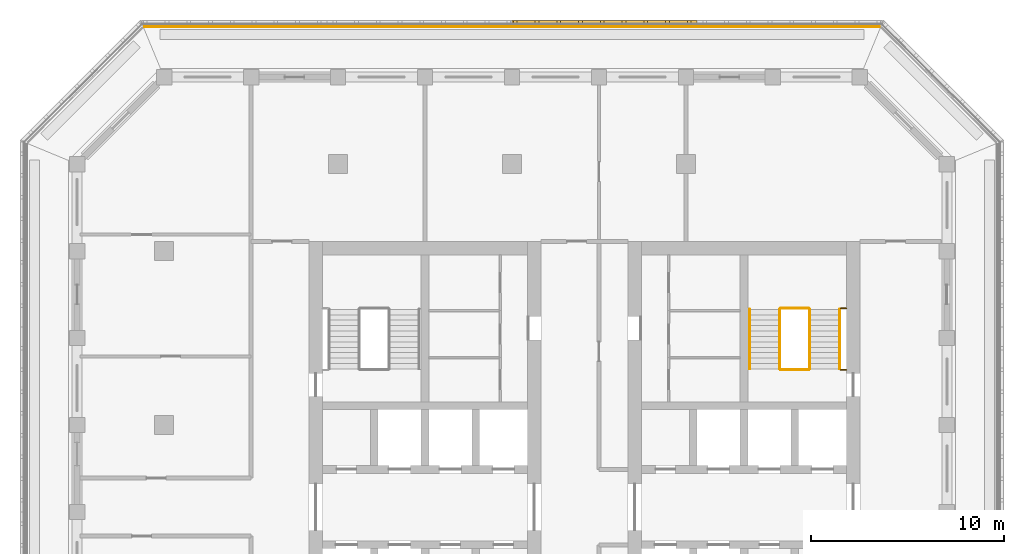
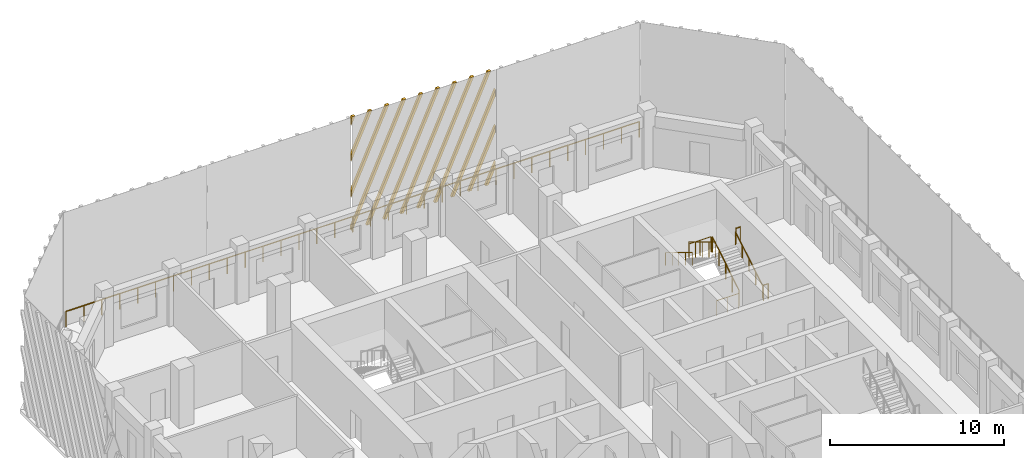
# One storey, part 13 of 15: 9 railings, 1 shading device.
"""IFC4 building model written with IfcOpenShell, lengths in metres."""

from ifc_helpers import new_model, si_unit, direction, frame, origin, origin_2d, place, context, subcontext, project, spatial, polyline, circle, outline, extrude, source, transform, mapped, material, type_object, element, save


model = new_model("IFC4")

# Units and contexts
model_context = context("Model", 3, precision=1e-05, world=origin(), true_north=direction((0.0, 1.0)))
body_context = subcontext(model_context, "Body", "Model", "MODEL_VIEW")
ifc_project = project(units=[si_unit("LENGTHUNIT", "METRE"), si_unit("AREAUNIT", "SQUARE_METRE"), si_unit("VOLUMEUNIT", "CUBIC_METRE"), si_unit("PLANEANGLEUNIT", "RADIAN"), si_unit("MASSUNIT", "GRAM", prefix="KILO")], contexts=[model_context])

# Site, building, storey
site_placement = place(None, origin())
site = spatial("IfcSite", under=ifc_project, at=site_placement, CompositionType="ELEMENT")
building_placement = place(site_placement, origin())
building = spatial("IfcBuilding", under=site, at=building_placement, Name="Corbel Stack Research Tower", CompositionType="ELEMENT")
storey_placement = place(building_placement, frame((0.0, 0.0, 282.699951171875)))
storey = spatial("IfcBuildingStorey", under=building, at=storey_placement, Name="L64", CompositionType="ELEMENT", Elevation=282.699951171875)

# Railings
ifc_material_1 = material(Name="Steel S355", Category="steel")
railing_type_1 = type_object("IfcRailingType", Name="Stair guard 1100", PredefinedType="GUARDRAIL", material=ifc_material_1)
railing_1_placement = place(storey_placement, frame((15.39990234375, 11.89990234375, 0.1708984375)))
element("IfcRailing", 1, at=railing_1_placement, inside=storey, type_object=railing_type_1, Name="L64 ST-E2 stair guard 1", PredefinedType="GUARDRAIL", context=body_context, shape_type="SweptSolid", body=[
    extrude(circle(Radius=0.02392578125, at=origin_2d()), frame((0.0, 0.0, 1.076171875), z_axis=(0.0, 0.853666305674, 0.52082035152), x_axis=(-1.0, 0.0, 0.0)), (0.0, 0.0, 1.0), 3.608154296875),
    extrude(circle(Radius=0.02099609375, at=origin_2d()), origin(), (0.0, 0.0, 1.0), 1.052001953125),
    extrude(circle(Radius=0.02099609375, at=origin_2d()), frame((0.0, 0.77001953125, 0.4697265625)), (0.0, 0.0, 1.0), 1.052001953125),
    extrude(circle(Radius=0.02099609375, at=origin_2d()), frame((0.0, 1.5400390625, 0.939453125)), (0.0, 0.0, 1.0), 1.052001953125),
    extrude(circle(Radius=0.02099609375, at=origin_2d()), frame((0.0, 2.31005859375, 1.409423828125)), (0.0, 0.0, 1.0), 1.052001953125),
    extrude(circle(Radius=0.02099609375, at=origin_2d()), frame((0.0, 3.080078125, 1.879150390625)), (0.0, 0.0, 1.0), 1.052001953125),
])
railing_2_placement = place(storey_placement, frame((15.35009765625, 15.030029296875, 2.050048828125)))
element("IfcRailing", 2, at=railing_2_placement, inside=storey, type_object=railing_type_1, Name="L64 ST-E2 stair guard 2", PredefinedType="GUARDRAIL", context=body_context, shape_type="SweptSolid", body=[
    extrude(circle(Radius=0.02392578125, at=origin_2d()), frame((0.0, 0.0, 1.076171875), z_axis=(-1.0, 0.0, 0.0), x_axis=(0.0, -1.0, 0.0)), (0.0, 0.0, 1.0), 1.4501953125),
    extrude(circle(Radius=0.02099609375, at=origin_2d()), origin(), (0.0, 0.0, 1.0), 1.052001953125),
    extrude(circle(Radius=0.02099609375, at=origin_2d()), frame((-0.72509765625, 0.0, 0.0)), (0.0, 0.0, 1.0), 1.052001953125),
    extrude(circle(Radius=0.02099609375, at=origin_2d()), frame((-1.4501953125, 0.0, 0.0)), (0.0, 0.0, 1.0), 1.052001953125),
])
railing_3_placement = place(storey_placement, frame((17.300048828125, 15.030029296875, 2.050048828125)))
element("IfcRailing", 3, at=railing_3_placement, inside=storey, type_object=railing_type_1, Name="L64 ST-E2 stair guard 3", PredefinedType="GUARDRAIL", context=body_context, shape_type="SweptSolid", body=[
    extrude(circle(Radius=0.02392578125, at=origin_2d()), frame((0.0, 0.0, 1.076171875), z_axis=(-1.0, 0.0, 0.0), x_axis=(0.0, -1.0, 0.0)), (0.0, 0.0, 1.0), 0.300048828125),
    extrude(circle(Radius=0.02099609375, at=origin_2d()), origin(), (0.0, 0.0, 1.0), 1.052001953125),
    extrude(circle(Radius=0.02099609375, at=origin_2d()), frame((-0.300048828125, 0.0, 0.0)), (0.0, 0.0, 1.0), 1.052001953125),
])
railing_4_placement = place(storey_placement, frame((13.85009765625, 14.97998046875, 2.220947265625)))
element("IfcRailing", 4, at=railing_4_placement, inside=storey, type_object=railing_type_1, Name="L64 ST-E2 stair guard 4", PredefinedType="GUARDRAIL", context=body_context, shape_type="SweptSolid", body=[
    extrude(circle(Radius=0.02392578125, at=origin_2d()), frame((0.0, 0.0, 1.076171875), z_axis=(0.0, -0.853666305674, 0.52082035152), x_axis=(1.0, 0.0, 0.0)), (0.0, 0.0, 1.0), 3.608154296875),
    extrude(circle(Radius=0.02099609375, at=origin_2d()), origin(), (0.0, 0.0, 1.0), 1.052001953125),
    extrude(circle(Radius=0.02099609375, at=origin_2d()), frame((0.0, -0.77001953125, 0.4697265625)), (0.0, 0.0, 1.0), 1.052001953125),
    extrude(circle(Radius=0.02099609375, at=origin_2d()), frame((0.0, -1.5400390625, 0.939453125)), (0.0, 0.0, 1.0), 1.052001953125),
    extrude(circle(Radius=0.02099609375, at=origin_2d()), frame((0.0, -2.31005859375, 1.409423828125)), (0.0, 0.0, 1.0), 1.052001953125),
    extrude(circle(Radius=0.02099609375, at=origin_2d()), frame((0.0, -3.080078125, 1.879150390625)), (0.0, 0.0, 1.0), 1.052001953125),
])
railing_5_placement = place(storey_placement, frame((15.35009765625, 11.85009765625, 0.0)))
element("IfcRailing", 5, at=railing_5_placement, inside=storey, type_object=railing_type_1, Name="L64 ST-E2 stair guard 5", PredefinedType="GUARDRAIL", context=body_context, shape_type="SweptSolid", body=[
    extrude(circle(Radius=0.02392578125, at=origin_2d()), frame((0.0, 0.0, 1.076171875), z_axis=(-1.0, 0.0, 0.0), x_axis=(0.0, -1.0, 0.0)), (0.0, 0.0, 1.0), 1.4501953125),
    extrude(circle(Radius=0.02099609375, at=origin_2d()), origin(), (0.0, 0.0, 1.0), 1.052001953125),
    extrude(circle(Radius=0.02099609375, at=origin_2d()), frame((-0.72509765625, 0.0, 0.0)), (0.0, 0.0, 1.0), 1.052001953125),
    extrude(circle(Radius=0.02099609375, at=origin_2d()), frame((-1.4501953125, 0.0, 0.0)), (0.0, 0.0, 1.0), 1.052001953125),
])
railing_6_placement = place(storey_placement, frame((17.300048828125, 11.85009765625, 0.0)))
element("IfcRailing", 6, at=railing_6_placement, inside=storey, type_object=railing_type_1, Name="L64 ST-E2 stair guard 6", PredefinedType="GUARDRAIL", context=body_context, shape_type="SweptSolid", body=[
    extrude(circle(Radius=0.02392578125, at=origin_2d()), frame((0.0, 0.0, 1.076171875), z_axis=(-1.0, 0.0, 0.0), x_axis=(0.0, -1.0, 0.0)), (0.0, 0.0, 1.0), 0.300048828125),
    extrude(circle(Radius=0.02099609375, at=origin_2d()), origin(), (0.0, 0.0, 1.0), 1.052001953125),
    extrude(circle(Radius=0.02099609375, at=origin_2d()), frame((-0.300048828125, 0.0, 0.0)), (0.0, 0.0, 1.0), 1.052001953125),
])
ifc_material_2 = material(Name="Steel S355", Category="steel")
railing_type_2 = type_object("IfcRailingType", Name="Stair handrail 900", PredefinedType="HANDRAIL", material=ifc_material_2)
railing_7_placement = place(storey_placement, frame((16.949951171875, 11.89990234375, 0.1708984375)))
element("IfcRailing", 7, at=railing_7_placement, inside=storey, type_object=railing_type_2, Name="L64 ST-E2 stair handrail 1", PredefinedType="HANDRAIL", context=body_context, shape_type="SweptSolid", body=[
    extrude(circle(Radius=0.02392578125, at=origin_2d()), frame((0.0, 0.0, 0.8759765625), z_axis=(0.0, 0.853666305674, 0.52082035152), x_axis=(-1.0, 0.0, 0.0)), (0.0, 0.0, 1.0), 3.608154296875),
    extrude(circle(Radius=0.02099609375, at=origin_2d()), origin(), (0.0, 0.0, 1.0), 0.851806640625),
    extrude(circle(Radius=0.02099609375, at=origin_2d()), frame((0.0, 0.77001953125, 0.4697265625)), (0.0, 0.0, 1.0), 0.851806640625),
    extrude(circle(Radius=0.02099609375, at=origin_2d()), frame((0.0, 1.5400390625, 0.939453125)), (0.0, 0.0, 1.0), 0.851806640625),
    extrude(circle(Radius=0.02099609375, at=origin_2d()), frame((0.0, 2.31005859375, 1.409423828125)), (0.0, 0.0, 1.0), 0.851806640625),
    extrude(circle(Radius=0.02099609375, at=origin_2d()), frame((0.0, 3.080078125, 1.879150390625)), (0.0, 0.0, 1.0), 0.851806640625),
])
railing_8_placement = place(storey_placement, frame((12.300048828125, 14.97998046875, 2.220947265625)))
element("IfcRailing", 8, at=railing_8_placement, inside=storey, type_object=railing_type_2, Name="L64 ST-E2 stair handrail 2", PredefinedType="HANDRAIL", context=body_context, shape_type="SweptSolid", body=[
    extrude(circle(Radius=0.02392578125, at=origin_2d()), frame((0.0, 0.0, 0.8759765625), z_axis=(0.0, -0.853666305674, 0.52082035152), x_axis=(1.0, 0.0, 0.0)), (0.0, 0.0, 1.0), 3.608154296875),
    extrude(circle(Radius=0.02099609375, at=origin_2d()), origin(), (0.0, 0.0, 1.0), 0.851806640625),
    extrude(circle(Radius=0.02099609375, at=origin_2d()), frame((0.0, -0.77001953125, 0.4697265625)), (0.0, 0.0, 1.0), 0.851806640625),
    extrude(circle(Radius=0.02099609375, at=origin_2d()), frame((0.0, -1.5400390625, 0.939453125)), (0.0, 0.0, 1.0), 0.851806640625),
    extrude(circle(Radius=0.02099609375, at=origin_2d()), frame((0.0, -2.31005859375, 1.409423828125)), (0.0, 0.0, 1.0), 0.851806640625),
    extrude(circle(Radius=0.02099609375, at=origin_2d()), frame((0.0, -3.080078125, 1.879150390625)), (0.0, 0.0, 1.0), 0.851806640625),
])
ifc_material_3 = material(Name="Powder-coated steel guard", Category="steel")
railing_type_3 = type_object("IfcRailingType", Name="Steel and glass guard 1100", PredefinedType="GUARDRAIL", material=ifc_material_3)
railing_9_placement = place(storey_placement, frame((19.00537109375, 29.60009765625, 0.0)))
element("IfcRailing", 9, at=railing_9_placement, inside=storey, type_object=railing_type_3, Name="Loggia guard L64 N", PredefinedType="GUARDRAIL", context=body_context, shape_type="SweptSolid", body=[
    extrude(circle(Radius=0.02392578125, at=origin_2d()), frame((0.0, 0.0, 1.076171875), z_axis=(-1.0, 0.0, 0.0), x_axis=(0.0, -1.0, 0.0)), (0.0, 0.0, 1.0), 38.0107421875),
    extrude(circle(Radius=0.02099609375, at=origin_2d()), origin(), (0.0, 0.0, 1.0), 1.052001953125),
    extrude(circle(Radius=0.02099609375, at=origin_2d()), frame((-1.187744140625, 0.0, 0.0)), (0.0, 0.0, 1.0), 1.052001953125),
    extrude(circle(Radius=0.02099609375, at=origin_2d()), frame((-2.375732421875, 0.0, 0.0)), (0.0, 0.0, 1.0), 1.052001953125),
    extrude(circle(Radius=0.02099609375, at=origin_2d()), frame((-3.5634765625, 0.0, 0.0)), (0.0, 0.0, 1.0), 1.052001953125),
    extrude(circle(Radius=0.02099609375, at=origin_2d()), frame((-4.75146484375, 0.0, 0.0)), (0.0, 0.0, 1.0), 1.052001953125),
    extrude(circle(Radius=0.02099609375, at=origin_2d()), frame((-5.939208984375, 0.0, 0.0)), (0.0, 0.0, 1.0), 1.052001953125),
    extrude(circle(Radius=0.02099609375, at=origin_2d()), frame((-7.126953125, 0.0, 0.0)), (0.0, 0.0, 1.0), 1.052001953125),
    extrude(circle(Radius=0.02099609375, at=origin_2d()), frame((-8.31494140625, 0.0, 0.0)), (0.0, 0.0, 1.0), 1.052001953125),
    extrude(circle(Radius=0.02099609375, at=origin_2d()), frame((-9.502685546875, 0.0, 0.0)), (0.0, 0.0, 1.0), 1.052001953125),
    extrude(circle(Radius=0.02099609375, at=origin_2d()), frame((-10.6904296875, 0.0, 0.0)), (0.0, 0.0, 1.0), 1.052001953125),
    extrude(circle(Radius=0.02099609375, at=origin_2d()), frame((-11.87841796875, 0.0, 0.0)), (0.0, 0.0, 1.0), 1.052001953125),
    extrude(circle(Radius=0.02099609375, at=origin_2d()), frame((-13.066162109375, 0.0, 0.0)), (0.0, 0.0, 1.0), 1.052001953125),
    extrude(circle(Radius=0.02099609375, at=origin_2d()), frame((-14.25390625, 0.0, 0.0)), (0.0, 0.0, 1.0), 1.052001953125),
    extrude(circle(Radius=0.02099609375, at=origin_2d()), frame((-15.44189453125, 0.0, 0.0)), (0.0, 0.0, 1.0), 1.052001953125),
    extrude(circle(Radius=0.02099609375, at=origin_2d()), frame((-16.629638671875, 0.0, 0.0)), (0.0, 0.0, 1.0), 1.052001953125),
    extrude(circle(Radius=0.02099609375, at=origin_2d()), frame((-17.817626953125, 0.0, 0.0)), (0.0, 0.0, 1.0), 1.052001953125),
    extrude(circle(Radius=0.02099609375, at=origin_2d()), frame((-19.00537109375, 0.0, 0.0)), (0.0, 0.0, 1.0), 1.052001953125),
    extrude(circle(Radius=0.02099609375, at=origin_2d()), frame((-20.193115234375, 0.0, 0.0)), (0.0, 0.0, 1.0), 1.052001953125),
    extrude(circle(Radius=0.02099609375, at=origin_2d()), frame((-21.381103515625, 0.0, 0.0)), (0.0, 0.0, 1.0), 1.052001953125),
    extrude(circle(Radius=0.02099609375, at=origin_2d()), frame((-22.56884765625, 0.0, 0.0)), (0.0, 0.0, 1.0), 1.052001953125),
    extrude(circle(Radius=0.02099609375, at=origin_2d()), frame((-23.7568359375, 0.0, 0.0)), (0.0, 0.0, 1.0), 1.052001953125),
    extrude(circle(Radius=0.02099609375, at=origin_2d()), frame((-24.944580078125, 0.0, 0.0)), (0.0, 0.0, 1.0), 1.052001953125),
    extrude(circle(Radius=0.02099609375, at=origin_2d()), frame((-26.13232421875, 0.0, 0.0)), (0.0, 0.0, 1.0), 1.052001953125),
    extrude(circle(Radius=0.02099609375, at=origin_2d()), frame((-27.3203125, 0.0, 0.0)), (0.0, 0.0, 1.0), 1.052001953125),
    extrude(circle(Radius=0.02099609375, at=origin_2d()), frame((-28.508056640625, 0.0, 0.0)), (0.0, 0.0, 1.0), 1.052001953125),
    extrude(circle(Radius=0.02099609375, at=origin_2d()), frame((-29.69580078125, 0.0, 0.0)), (0.0, 0.0, 1.0), 1.052001953125),
    extrude(circle(Radius=0.02099609375, at=origin_2d()), frame((-30.8837890625, 0.0, 0.0)), (0.0, 0.0, 1.0), 1.052001953125),
    extrude(circle(Radius=0.02099609375, at=origin_2d()), frame((-32.071533203125, 0.0, 0.0)), (0.0, 0.0, 1.0), 1.052001953125),
    extrude(circle(Radius=0.02099609375, at=origin_2d()), frame((-33.25927734375, 0.0, 0.0)), (0.0, 0.0, 1.0), 1.052001953125),
    extrude(circle(Radius=0.02099609375, at=origin_2d()), frame((-34.447265625, 0.0, 0.0)), (0.0, 0.0, 1.0), 1.052001953125),
    extrude(circle(Radius=0.02099609375, at=origin_2d()), frame((-35.635009765625, 0.0, 0.0)), (0.0, 0.0, 1.0), 1.052001953125),
    extrude(circle(Radius=0.02099609375, at=origin_2d()), frame((-36.822998046875, 0.0, 0.0)), (0.0, 0.0, 1.0), 1.052001953125),
    extrude(circle(Radius=0.02099609375, at=origin_2d()), frame((-38.0107421875, 0.0, 0.0)), (0.0, 0.0, 1.0), 1.052001953125),
])

# Shading device
ifc_material_4 = material(Name="Precast terracotta", Category="masonry")
shading_device_type = type_object("IfcShadingDeviceType", Name="Terracotta screen panel", PredefinedType="USERDEFINED", material=ifc_material_4)
shared_shape = source(origin(), body_context, "Body", "SweptSolid", [
    extrude(outline(polyline([(0.66455078125, 0.0), (0.0, 1.49267578125), (0.0, 1.06591796875), (0.474609375, 0.0), (0.66455078125, 0.0)])), frame((0.0, 0.0, 0.0), z_axis=(0.0, -1.0, 0.0), x_axis=(1.0, 0.0, 0.0)), (0.0, 0.0, 1.0), 0.179931640625),
    extrude(outline(polyline([(1.78955078125, 0.0), (0.0, 4.019287109375), (0.0, 3.592529296875), (1.599609375, 0.0), (1.78955078125, 0.0)])), frame((0.0, 0.0, 0.0), z_axis=(0.0, -1.0, 0.0), x_axis=(1.0, 0.0, 0.0)), (0.0, 0.0, 1.0), 0.179931640625),
    extrude(outline(polyline([(2.91455078125, 0.0), (0.0, 6.546142578125), (0.0, 6.119384765625), (2.724609375, 0.0), (2.91455078125, 0.0)])), frame((0.0, 0.0, 0.0), z_axis=(0.0, -1.0, 0.0), x_axis=(1.0, 0.0, 0.0)), (0.0, 0.0, 1.0), 0.179931640625),
    extrude(outline(polyline([(4.03955078125, 0.0), (0.5, 7.949951171875), (0.31005859375, 7.949951171875), (3.849609375, 0.0), (4.03955078125, 0.0)])), frame((0.0, 0.0, 0.0), z_axis=(0.0, -1.0, 0.0), x_axis=(1.0, 0.0, 0.0)), (0.0, 0.0, 1.0), 0.179931640625),
    extrude(outline(polyline([(5.16455078125, 0.0), (1.625, 7.949951171875), (1.43505859375, 7.949951171875), (4.974609375, 0.0), (5.16455078125, 0.0)])), frame((0.0, 0.0, 0.0), z_axis=(0.0, -1.0, 0.0), x_axis=(1.0, 0.0, 0.0)), (0.0, 0.0, 1.0), 0.179931640625),
    extrude(outline(polyline([(6.28955078125, 0.0), (2.75, 7.949951171875), (2.56005859375, 7.949951171875), (6.099609375, 0.0), (6.28955078125, 0.0)])), frame((0.0, 0.0, 0.0), z_axis=(0.0, -1.0, 0.0), x_axis=(1.0, 0.0, 0.0)), (0.0, 0.0, 1.0), 0.179931640625),
    extrude(outline(polyline([(7.41455078125, 0.0), (3.875, 7.949951171875), (3.68505859375, 7.949951171875), (7.224609375, 0.0), (7.41455078125, 0.0)])), frame((0.0, 0.0, 0.0), z_axis=(0.0, -1.0, 0.0), x_axis=(1.0, 0.0, 0.0)), (0.0, 0.0, 1.0), 0.179931640625),
    extrude(outline(polyline([(8.53955078125, 0.0), (5.0, 7.949951171875), (4.81005859375, 7.949951171875), (8.349609375, 0.0), (8.53955078125, 0.0)])), frame((0.0, 0.0, 0.0), z_axis=(0.0, -1.0, 0.0), x_axis=(1.0, 0.0, 0.0)), (0.0, 0.0, 1.0), 0.179931640625),
    extrude(outline(polyline([(9.569580078125, 0.0), (9.569580078125, 0.21337890625), (6.125, 7.949951171875), (5.93505859375, 7.949951171875), (9.474609375, 0.0), (9.569580078125, 0.0)])), frame((0.0, 0.0, 0.0), z_axis=(0.0, -1.0, 0.0), x_axis=(1.0, 0.0, 0.0)), (0.0, 0.0, 1.0), 0.179931640625),
    extrude(outline(polyline([(7.25, 7.949951171875), (7.06005859375, 7.949951171875), (9.569580078125, 2.3134765625), (9.569580078125, 2.740234375), (7.25, 7.949951171875)])), frame((0.0, 0.0, 0.0), z_axis=(0.0, -1.0, 0.0), x_axis=(1.0, 0.0, 0.0)), (0.0, 0.0, 1.0), 0.179931640625),
    extrude(outline(polyline([(8.375, 7.949951171875), (8.18505859375, 7.949951171875), (9.569580078125, 4.840087890625), (9.569580078125, 5.26708984375), (8.375, 7.949951171875)])), frame((0.0, 0.0, 0.0), z_axis=(0.0, -1.0, 0.0), x_axis=(1.0, 0.0, 0.0)), (0.0, 0.0, 1.0), 0.179931640625),
    extrude(outline(polyline([(9.5, 7.949951171875), (9.31005859375, 7.949951171875), (9.569580078125, 7.366943359375), (9.569580078125, 7.793701171875), (9.5, 7.949951171875)])), frame((0.0, 0.0, 0.0), z_axis=(0.0, -1.0, 0.0), x_axis=(1.0, 0.0, 0.0)), (0.0, 0.0, 1.0), 0.179931640625),
])
shading_device_placement = place(storey_placement, frame((9.569580078125, 29.75, 0.0), z_axis=(0.0, 0.0, 1.0), x_axis=(-1.0, 0.0, 0.0)))
element("IfcShadingDevice", 10, at=shading_device_placement, inside=storey, type_object=shading_device_type, Name="Terracotta screen L64 N2", ObjectType="SCREEN", PredefinedType="USERDEFINED", context=body_context, shape_type="MappedRepresentation", body=[
    mapped(shared_shape, transform((0.0, 0.0, 0.0))),
])

save(model, "model.ifc")
